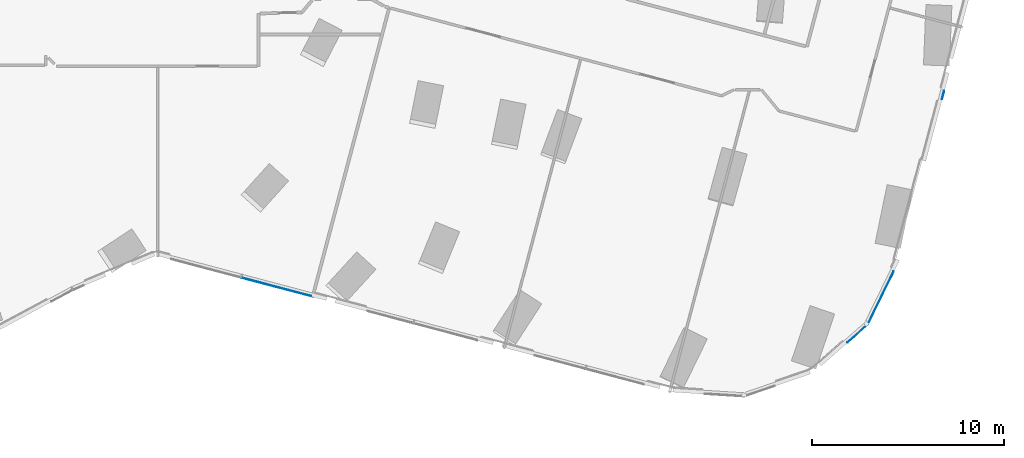
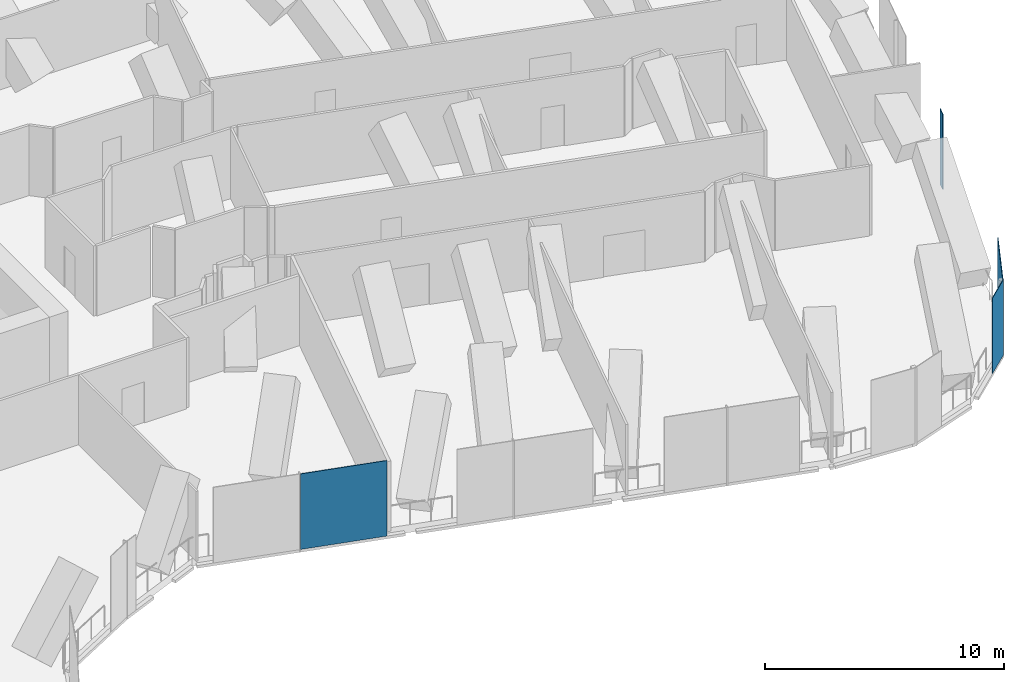
# One storey, part 22 of 37: 4 plates, 4 elements without a shape of their own.
"""IFC4 building model written with IfcOpenShell, lengths in metres."""

from ifc_helpers import new_model, si_unit, direction, frame, origin, origin_2d, place, context, subcontext, project, spatial, rectangle, extrude, material, layer, layer_set, type_object, element, aggregate, save


model = new_model("IFC4")

# Units and contexts
model_context = context("Model", 3, precision=1e-05, world=origin(), true_north=direction((0.0, 1.0)))
body_context = subcontext(model_context, "Body", "Model", "MODEL_VIEW")
ifc_project = project(units=[si_unit("LENGTHUNIT", "METRE"), si_unit("AREAUNIT", "SQUARE_METRE"), si_unit("VOLUMEUNIT", "CUBIC_METRE"), si_unit("PLANEANGLEUNIT", "RADIAN"), si_unit("MASSUNIT", "GRAM", prefix="KILO")], contexts=[model_context])

# Site, building, storey
site_placement = place(None, origin())
site = spatial("IfcSite", under=ifc_project, at=site_placement, CompositionType="ELEMENT")
building_placement = place(site_placement, origin())
building = spatial("IfcBuilding", under=site, at=building_placement, Name="Orlundy Tower", CompositionType="ELEMENT")
storey_placement = place(building_placement, frame((0.0, 0.0, 119.699951171875)))
storey = spatial("IfcBuildingStorey", under=building, at=storey_placement, Name="L30", CompositionType="ELEMENT", Elevation=119.699951171875)

# Curtain wall, plate
ifc_material_1 = material(Name="Aluminium bronze anodised", Category="aluminium")
curtain_wall_type = type_object("IfcCurtainWallType", Name="CW5 wall", PredefinedType="NOTDEFINED", material=ifc_material_1)
curtain_wall_1_placement = place(storey_placement, origin())
curtain_wall_1 = element("IfcCurtainWall", 1, at=curtain_wall_1_placement, inside=storey, type_object=curtain_wall_type, Name="CW5 run 022", PredefinedType="NOTDEFINED")
ifc_material_2 = material(Name="Tinted glass", Category="glass")
ifc_layer_1 = layer(ifc_material_2, 0.031982421875)
ifc_layer_set_1 = layer_set([ifc_layer_1], Name="CW5 glass panel 32")
plate_type_1 = type_object("IfcPlateType", Name="CW5 glass panel 32", PredefinedType="CURTAIN_PANEL", material=ifc_layer_set_1)
plate_1_placement = place(storey_placement, frame((58.235107421875, -17.147705078125, -0.259765625), z_axis=(0.0, 0.0, 1.0), x_axis=(-0.255990719194, -0.966679239296, 0.0)))
plate_1 = element("IfcPlate", 2, at=plate_1_placement, type_object=plate_type_1, Name="CW5 panel", PredefinedType="CURTAIN_PANEL", context=body_context, shape_type="SweptSolid", body=[
    extrude(rectangle(XDim=0.43310546875, YDim=0.031982421875, at=origin_2d()), origin(), (0.0, 0.0, 1.0), 3.860107421875),
])
aggregate(curtain_wall_1, [plate_1])

curtain_wall_2_placement = place(storey_placement, origin())
curtain_wall_2 = element("IfcCurtainWall", 3, at=curtain_wall_2_placement, inside=storey, type_object=curtain_wall_type, Name="CW5 run 023", PredefinedType="NOTDEFINED")
plate_2_placement = place(storey_placement, frame((54.99267578125, -27.697998046875, -0.259765625), z_axis=(0.0, 0.0, 1.0), x_axis=(-0.439751990689, -0.898119249702, 0.0)))
plate_2 = element("IfcPlate", 4, at=plate_2_placement, type_object=plate_type_1, Name="CW5 panel", PredefinedType="CURTAIN_PANEL", context=body_context, shape_type="SweptSolid", body=[
    extrude(rectangle(XDim=3.081787109375, YDim=0.031982421875, at=origin_2d()), origin(), (0.0, 0.0, 1.0), 3.860107421875),
])
aggregate(curtain_wall_2, [plate_2])

curtain_wall_3_placement = place(storey_placement, origin())
curtain_wall_3 = element("IfcCurtainWall", 5, at=curtain_wall_3_placement, inside=storey, type_object=curtain_wall_type, Name="CW5 run 024", PredefinedType="NOTDEFINED")
plate_3_placement = place(storey_placement, frame((53.791259765625, -29.5439453125, -0.259765625), z_axis=(0.0, 0.0, 1.0), x_axis=(-0.749963804957, -0.661478866824, 0.0)))
plate_3 = element("IfcPlate", 6, at=plate_3_placement, type_object=plate_type_1, Name="CW5 panel", PredefinedType="CURTAIN_PANEL", context=body_context, shape_type="SweptSolid", body=[
    extrude(rectangle(XDim=1.3974609375, YDim=0.031982421875, at=origin_2d()), origin(), (0.0, 0.0, 1.0), 3.860107421875),
])
aggregate(curtain_wall_3, [plate_3])

curtain_wall_4_placement = place(storey_placement, origin())
curtain_wall_4 = element("IfcCurtainWall", 7, at=curtain_wall_4_placement, inside=storey, type_object=curtain_wall_type, Name="CW5 run 027", PredefinedType="NOTDEFINED")
ifc_material_3 = material(Name="Tinted glass", Category="glass")
ifc_layer_2 = layer(ifc_material_3, 0.031982421875)
ifc_layer_set_2 = layer_set([ifc_layer_2], Name="CW5 vent panel 32")
plate_type_2 = type_object("IfcPlateType", Name="CW5 vent panel 32", PredefinedType="CURTAIN_PANEL", material=ifc_layer_set_2)
plate_4_placement = place(storey_placement, frame((23.58056640625, -27.124755859375, -0.259765625), z_axis=(0.0, 0.0, 1.0), x_axis=(-0.966673796654, 0.256011270968, 0.0)))
plate_4 = element("IfcPlate", 8, at=plate_4_placement, type_object=plate_type_2, Name="CW5 panel", PredefinedType="CURTAIN_PANEL", context=body_context, shape_type="SweptSolid", body=[
    extrude(rectangle(XDim=3.734619140625, YDim=0.031982421875, at=origin_2d()), origin(), (0.0, 0.0, 1.0), 3.860107421875),
])
aggregate(curtain_wall_4, [plate_4])

save(model, "model.ifc")
